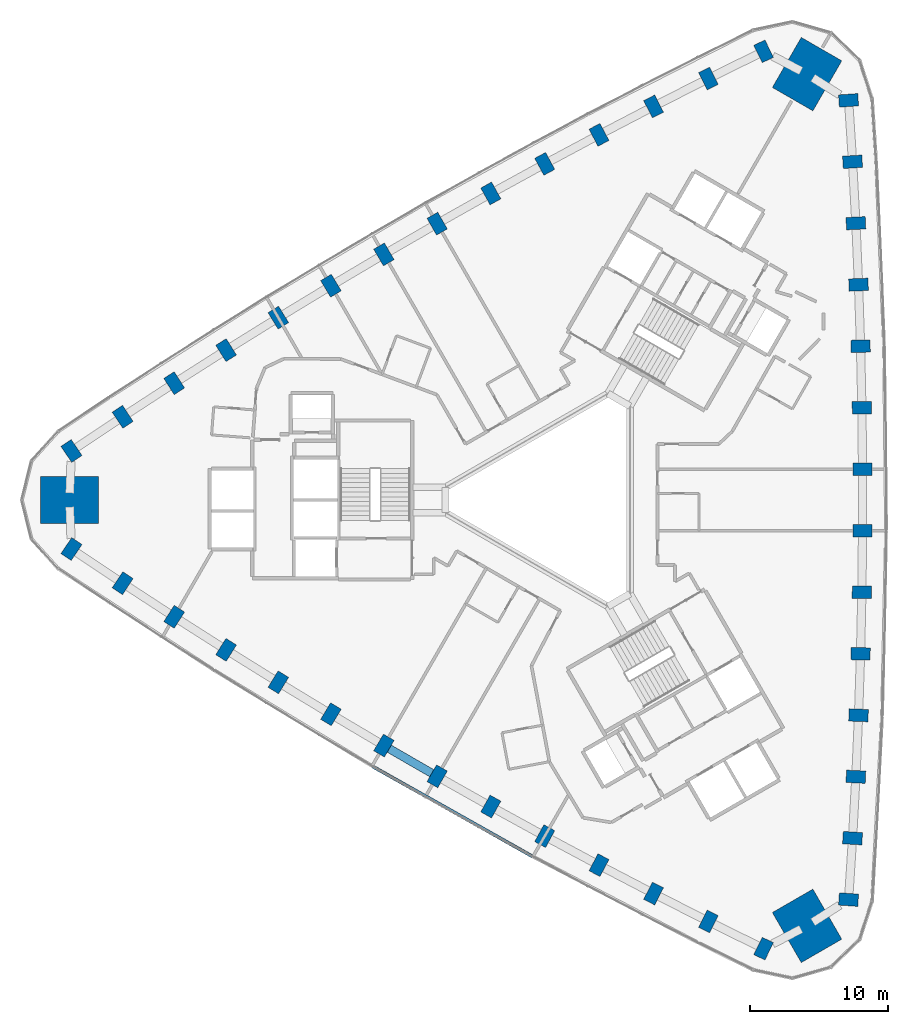
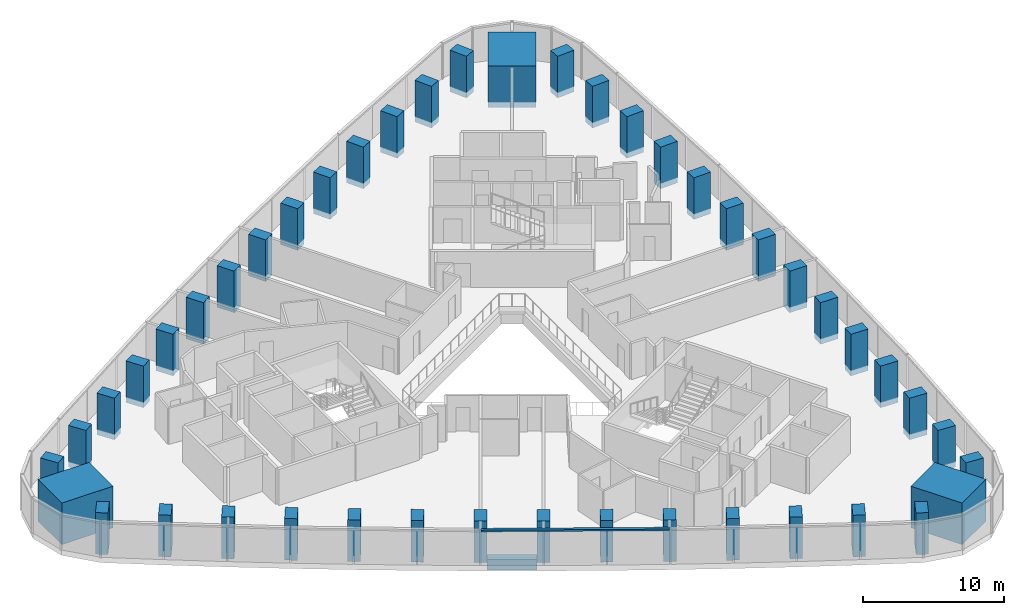
# One storey, part 1 of 13: 45 columns, 1 beam, 1 member, 1 element without a shape of its own.
"""IFC4 building model written with IfcOpenShell, lengths in metres."""

from ifc_helpers import new_model, si_unit, direction, frame, origin, origin_2d, place, context, subcontext, project, spatial, rectangle, extrude, material, material_profile, profile_set, type_object, element, aggregate, save


model = new_model("IFC4")

# Units and contexts
model_context = context("Model", 3, precision=1e-05, world=origin(), true_north=direction((0.0, 1.0)))
body_context = subcontext(model_context, "Body", "Model", "MODEL_VIEW")
ifc_project = project(units=[si_unit("LENGTHUNIT", "METRE"), si_unit("AREAUNIT", "SQUARE_METRE"), si_unit("VOLUMEUNIT", "CUBIC_METRE"), si_unit("PLANEANGLEUNIT", "RADIAN"), si_unit("MASSUNIT", "GRAM", prefix="KILO")], contexts=[model_context])

# Site, building, storey
site_placement = place(None, origin())
site = spatial("IfcSite", under=ifc_project, at=site_placement, CompositionType="ELEMENT")
building_placement = place(site_placement, origin())
building = spatial("IfcBuilding", under=site, at=building_placement, Name="Tamra Quay Hotel Tower", CompositionType="ELEMENT")
storey_placement = place(building_placement, frame((0.0, 0.0, 38.60009765625)))
storey = spatial("IfcBuildingStorey", under=building, at=storey_placement, Name="L07", CompositionType="ELEMENT", Elevation=38.60009765625)

# Columns
ifc_material_1 = material(Name="Concrete M70", Category="concrete")
ifc_material_profile_1 = material_profile(ifc_material_1, rectangle(XDim=1.39990234375, YDim=0.89990234375, at=origin_2d()), Name="COLUMN RC 900x1400 Z1")
ifc_profile_set_1 = profile_set([ifc_material_profile_1], Name="Concrete M70")
column_type_1 = type_object("IfcColumnType", Name="COLUMN RC 900x1400 Z1", PredefinedType="COLUMN", material=ifc_profile_set_1)
for number, where, z_axis, x_axis, name in (
    (1, (20.87890625, -29.033935546875, -0.47509765625), (0.0, 0.0, 1.0), (-0.997561736499, 0.069789554182, 0.0), "COL-C1E01-L07"),
    (2, (21.168701171875, -24.572509765625, -0.47509765625), (0.0, 0.0, 1.0), (-0.998214376921, 0.059733221148, 0.0), "COL-C1E02-L07"),
    (3, (21.410400390625, -20.10888671875, -0.47509765625), (0.0, 0.0, 1.0), (-0.998830734492, 0.048344222345, 0.0), "COL-C1E03-L07"),
    (4, (21.60400390625, -15.642578125, -0.47509765625), (0.0, 0.0, 1.0), (-0.999284860458, 0.037812268629, 0.0), "COL-C1E04-L07"),
    (5, (21.7490234375, -11.17431640625, -0.47509765625), (0.0, 0.0, 1.0), (-0.999628128016, 0.02726913418, 0.0), "COL-C1E05-L07"),
    (6, (21.845947265625, -6.70556640625, -0.47509765625), (0.0, 0.0, 1.0), (-0.999874567832, 0.015838200722, 0.0), "COL-C1E06-L07"),
    (7, (21.894287109375, -2.2353515625, -0.47509765625), (0.0, 0.0, 1.0), (-0.999986062833, 0.00527959646, 0.0), "COL-C1E07-L07"),
    (8, (21.894287109375, 2.2353515625, -0.47509765625), (0.0, 0.0, 1.0), (0.999986062833, 0.00527959646, 0.0), "COL-C1E08-L07"),
    (9, (21.845947265625, 6.70556640625, -0.47509765625), (0.0, 0.0, 1.0), (0.999874567832, 0.015838200722, 0.0), "COL-C1E09-L07"),
    (10, (21.7490234375, 11.17431640625, -0.47509765625), (0.0, 0.0, 1.0), (0.999628128016, 0.02726913418, 0.0), "COL-C1E10-L07"),
    (11, (21.60400390625, 15.642578125, -0.47509765625), (0.0, 0.0, 1.0), (0.999284860458, 0.037812268629, 0.0), "COL-C1E11-L07"),
    (12, (21.410400390625, 20.10888671875, -0.47509765625), (0.0, 0.0, 1.0), (0.998830734492, 0.048344222345, 0.0), "COL-C1E12-L07"),
    (13, (21.168701171875, 24.572509765625, -0.47509765625), (0.0, 0.0, 1.0), (0.998214376921, 0.059733221148, 0.0), "COL-C1E13-L07"),
    (14, (20.87890625, 29.033935546875, -0.47509765625), (0.0, 0.0, 1.0), (0.997561736499, 0.069789554182, 0.0), "COL-C1E14-L07"),
    (15, (14.70458984375, 32.5986328125, -0.47509765625), (0.0, 0.0, 1.0), (-0.438341341409, 0.898808582743, 0.0), "COL-C1NW01-L07"),
    (16, (10.69580078125, 30.618896484375, -0.47509765625), (0.0, 0.0, 1.0), (-0.447376701496, 0.89434561941, 0.0), "COL-C1NW02-L07"),
    (17, (6.709716796875, 28.596435546875, -0.47509765625), (0.0, 0.0, 1.0), (-0.457548042569, 0.889184901323, 0.0), "COL-C1NW03-L07"),
    (18, (2.744873046875, 26.53076171875, -0.47509765625), (0.0, 0.0, 1.0), (-0.466896045022, 0.884312209088, 0.0), "COL-C1NW04-L07"),
    (19, (-1.197265625, 24.422607421875, -0.47509765625), (0.0, 0.0, 1.0), (-0.476198301069, 0.879337920289, 0.0), "COL-C1NW05-L07"),
    (20, (-5.11572265625, 22.27197265625, -0.47509765625), (0.0, 0.0, 1.0), (-0.486220999741, 0.873835876702, 0.0), "COL-C1NW06-L07"),
    (21, (-9.011474609375, 20.07861328125, -0.47509765625), (0.0, 0.0, 1.0), (-0.495420766761, 0.868653132074, 0.0), "COL-C1NW07-L07"),
    (22, (-12.883056640625, 17.843505859375, -0.47509765625), (0.0, 0.0, 1.0), (-0.504565296072, 0.863373535614, 0.0), "COL-C1NW08-L07"),
    (23, (-16.72998046875, 15.56640625, -0.47509765625), (0.0, 0.0, 1.0), (-0.513653568092, 0.85799767598, 0.0), "COL-C1NW09-L07"),
    (24, (-20.552001953125, 13.248046875, -0.47509765625), (0.0, 0.0, 1.0), (-0.523429826947, 0.85206878611, 0.0), "COL-C1NW10-L07"),
    (25, (-24.348876953125, 10.88818359375, -0.47509765625), (0.0, 0.0, 1.0), (-0.532388815436, 0.84649994046, 0.0), "COL-C1NW11-L07"),
    (26, (-28.1201171875, 8.487548828125, -0.47509765625), (0.0, 0.0, 1.0), (-0.541282691923, 0.840840678978, 0.0), "COL-C1NW12-L07"),
    (27, (-31.86474609375, 6.04638671875, -0.47509765625), (0.0, 0.0, 1.0), (-0.550837675425, 0.834612398262, 0.0), "COL-C1NW13-L07"),
    (28, (-35.58349609375, 3.564697265625, -0.47509765625), (0.0, 0.0, 1.0), (-0.55922039509, 0.82901902856, 0.0), "COL-C1NW14-L07"),
    (29, (-35.58349609375, -3.564697265625, -0.47509765625), (0.0, 0.0, 1.0), (0.55922039509, 0.82901902856, 0.0), "COL-C1SW01-L07"),
    (30, (-31.86474609375, -6.04638671875, -0.47509765625), (0.0, 0.0, 1.0), (0.550837675425, 0.834612398262, 0.0), "COL-C1SW02-L07"),
    (31, (-28.1201171875, -8.487548828125, -0.47509765625), (0.0, 0.0, 1.0), (0.541282691923, 0.840840678978, 0.0), "COL-C1SW03-L07"),
    (32, (-24.348876953125, -10.88818359375, -0.47509765625), (0.0, 0.0, 1.0), (0.532388815436, 0.84649994046, 0.0), "COL-C1SW04-L07"),
    (33, (-20.552001953125, -13.248046875, -0.47509765625), (0.0, 0.0, 1.0), (0.523429826947, 0.85206878611, 0.0), "COL-C1SW05-L07"),
    (34, (-16.72998046875, -15.56640625, -0.47509765625), (0.0, 0.0, 1.0), (0.513653568092, 0.85799767598, 0.0), "COL-C1SW06-L07"),
    (35, (-12.883056640625, -17.843505859375, -0.47509765625), (0.0, 0.0, 1.0), (0.504565296072, 0.863373535614, 0.0), "COL-C1SW07-L07"),
    (36, (-9.011474609375, -20.07861328125, -0.47509765625), (0.0, 0.0, 1.0), (0.495420766761, 0.868653132074, 0.0), "COL-C1SW08-L07"),
    (37, (-5.11572265625, -22.27197265625, -0.47509765625), (0.0, 0.0, 1.0), (0.486220999741, 0.873835876702, 0.0), "COL-C1SW09-L07"),
    (38, (-1.197265625, -24.422607421875, -0.47509765625), (0.0, 0.0, 1.0), (0.476198301069, 0.879337920289, 0.0), "COL-C1SW10-L07"),
    (39, (2.744873046875, -26.53076171875, -0.47509765625), (0.0, 0.0, 1.0), (0.466896045022, 0.884312209088, 0.0), "COL-C1SW11-L07"),
    (40, (6.709716796875, -28.596435546875, -0.47509765625), (0.0, 0.0, 1.0), (0.457548042569, 0.889184901323, 0.0), "COL-C1SW12-L07"),
    (41, (10.69580078125, -30.618896484375, -0.47509765625), (0.0, 0.0, 1.0), (0.447376701496, 0.89434561941, 0.0), "COL-C1SW13-L07"),
    (42, (14.70458984375, -32.5986328125, -0.47509765625), (0.0, 0.0, 1.0), (0.438341341409, 0.898808582743, 0.0), "COL-C1SW14-L07"),
):
    element("IfcColumn", number, at=place(storey_placement, frame(where, z_axis=z_axis, x_axis=x_axis)), inside=storey, type_object=column_type_1, Name=name, PredefinedType="COLUMN", context=body_context, shape_type="SweptSolid", body=[
        extrude(rectangle(XDim=1.39990234375, YDim=0.89990234375, at=origin_2d()), origin(), (0.0, 0.0, 1.0), 3.60009765625),
    ])
ifc_material_profile_2 = material_profile(ifc_material_1, rectangle(XDim=4.199951171875, YDim=3.39990234375, at=origin_2d()), Name="MEGA COLUMN RC 3400x4200 Z1")
ifc_profile_set_2 = profile_set([ifc_material_profile_2], Name="Concrete M70")
column_type_2 = type_object("IfcColumnType", Name="MEGA COLUMN RC 3400x4200 Z1", PredefinedType="COLUMN", material=ifc_profile_set_2)
for number, where, z_axis, x_axis, name in (
    (43, (17.864501953125, 30.942138671875, -0.47509765625), (0.0, 0.0, 1.0), (0.5, 0.866025403784, 0.0), "COL-M1NE-L07"),
    (44, (-35.72900390625, 0.0, -0.47509765625), (0.0, 0.0, 1.0), (1.0, 0.0, 0.0), "COL-M1W-L07"),
    (45, (17.864501953125, -30.942138671875, -0.47509765625), (0.0, 0.0, 1.0), (-0.5, 0.866025403784, 0.0), "COL-M1SE-L07"),
):
    element("IfcColumn", number, at=place(storey_placement, frame(where, z_axis=z_axis, x_axis=x_axis)), inside=storey, type_object=column_type_2, Name=name, PredefinedType="COLUMN", context=body_context, shape_type="SweptSolid", body=[
        extrude(rectangle(XDim=4.199951171875, YDim=3.39990234375, at=origin_2d()), origin(), (0.0, 0.0, 1.0), 3.60009765625),
    ])

# Beam
ifc_material_2 = material(Name="Concrete M60", Category="concrete")
ifc_material_profile_3 = material_profile(ifc_material_2, rectangle(XDim=0.60009765625, YDim=0.89990234375, at=origin_2d()), Name="SPANDREL BEAM RC 600x900")
ifc_profile_set_3 = profile_set([ifc_material_profile_3], Name="Concrete M60")
beam_type = type_object("IfcBeamType", Name="SPANDREL BEAM RC 600x900", PredefinedType="SPANDREL", material=ifc_profile_set_3)
beam_placement = place(storey_placement, frame((-12.493408203125, -18.068359375, -0.925048828125), z_axis=(0.866017069707, -0.500014434768, 0.0), x_axis=(0.500014434768, 0.866017069707, 0.0)))
element("IfcBeam", 46, at=beam_placement, inside=storey, type_object=beam_type, Name="BM-SP1-036-L07", PredefinedType="SPANDREL", context=body_context, shape_type="SweptSolid", body=[
    extrude(rectangle(XDim=0.60009765625, YDim=0.89990234375, at=origin_2d()), origin(), (0.0, 0.0, 1.0), 3.57080078125),
])

# Curtain wall, member
ifc_material_3 = material(Name="Aluminium 6063 anodised dark grey", Category="aluminium")
curtain_wall_type = type_object("IfcCurtainWallType", Name="CW3 CURTAIN WALL", PredefinedType="NOTDEFINED", material=ifc_material_3)
curtain_wall_placement = place(storey_placement, origin())
curtain_wall = element("IfcCurtainWall", 47, at=curtain_wall_placement, inside=storey, type_object=curtain_wall_type, Name="CW3 south-west face L07", PredefinedType="NOTDEFINED")
ifc_material_profile_4 = material_profile(ifc_material_3, rectangle(XDim=0.239990234375, YDim=0.139892578125, at=origin_2d()), Name="TRANSOM 240X140")
ifc_profile_set_4 = profile_set([ifc_material_profile_4], Name="Aluminium 6063 anodised dark grey")
member_type = type_object("IfcMemberType", Name="TRANSOM CW3 Z1", PredefinedType="USERDEFINED", material=ifc_profile_set_4)
member_placement = place(storey_placement, frame((-13.70947265625, -19.35693359375, 3.054931640625), z_axis=(0.871394018257, -0.490583800125, 0.0), x_axis=(0.490583800125, 0.871394018257, 0.0)))
member = element("IfcMember", 48, at=member_placement, type_object=member_type, Name="CW3 transom L07.SW.7", ObjectType="TRANSOM", PredefinedType="USERDEFINED", context=body_context, shape_type="SweptSolid", body=[
    extrude(rectangle(XDim=0.239990234375, YDim=0.139892578125, at=origin_2d()), origin(), (0.0, 0.0, 1.0), 13.366455078125),
])
aggregate(curtain_wall, [member])

save(model, "model.ifc")
